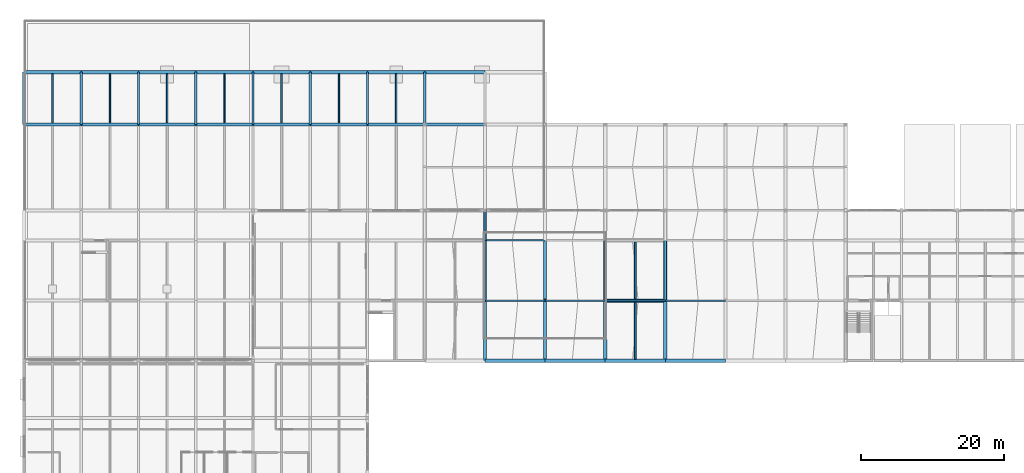
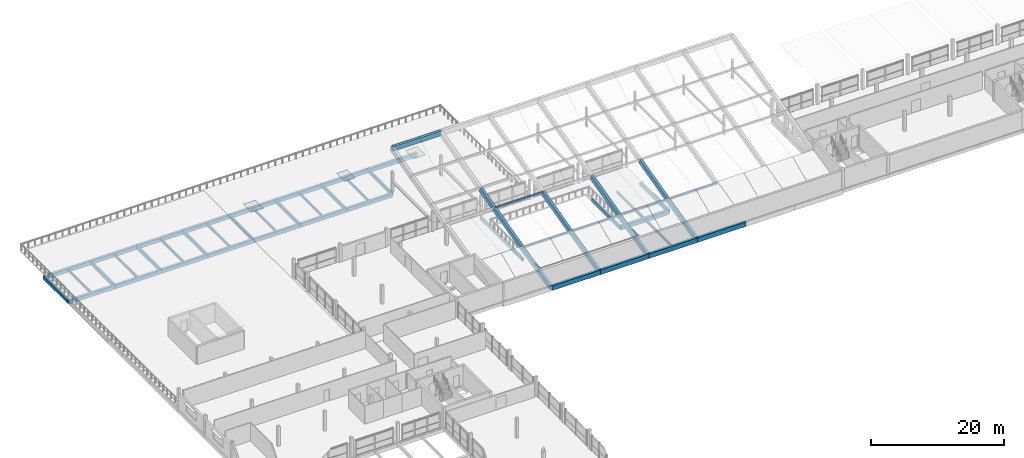
# One storey, part 25 of 51: 51 beams, 5 members.
"""IFC4 building model written with IfcOpenShell, lengths in metres."""

from ifc_helpers import new_model, si_unit, direction, frame, origin, origin_2d, place, context, subcontext, project, spatial, rectangle, hollow_rectangle, extrude, material, material_profile, profile_set, type_object, element, save


model = new_model("IFC4")

# Units and contexts
model_context = context("Model", 3, precision=1e-05, world=origin(), true_north=direction((0.0, 1.0)))
body_context = subcontext(model_context, "Body", "Model", "MODEL_VIEW")
ifc_project = project(units=[si_unit("LENGTHUNIT", "METRE"), si_unit("AREAUNIT", "SQUARE_METRE"), si_unit("VOLUMEUNIT", "CUBIC_METRE"), si_unit("PLANEANGLEUNIT", "RADIAN"), si_unit("MASSUNIT", "GRAM", prefix="KILO")], contexts=[model_context])

# Site, building, storey
site_placement = place(None, origin())
site = spatial("IfcSite", under=ifc_project, at=site_placement, CompositionType="ELEMENT")
building_placement = place(site_placement, origin())
building = spatial("IfcBuilding", under=site, at=building_placement, Name="Vharandega Faculty of Natural Sciences", CompositionType="ELEMENT")
storey_placement = place(building_placement, frame((0.0, 0.0, 18.0)))
storey = spatial("IfcBuildingStorey", under=building, at=storey_placement, Name="L04", CompositionType="ELEMENT", Elevation=18.0)

# Beams
ifc_material_1 = material(Name="Glulam GL28h", Category="wood")
ifc_material_profile_1 = material_profile(ifc_material_1, rectangle(XDim=0.300048828125, YDim=0.60009765625, at=origin_2d()), Name="GL28h 300x600")
ifc_profile_set_1 = profile_set([ifc_material_profile_1], Name="Glulam GL28h")
beam_type_1 = type_object("IfcBeamType", Name="Glulam Floor Beam 300x600", PredefinedType="BEAM", material=ifc_profile_set_1)
for number, where, z_axis, x_axis, name in (
    (1, (8.0, 97.0, -0.56005859375), (0.0, 1.0, 0.0), (-1.0, 0.0, 0.0), "Beam L04 2/N-P"),
    (2, (16.0, 97.0, -0.56005859375), (0.0, 1.0, 0.0), (-1.0, 0.0, 0.0), "Beam L04 3/N-P"),
    (3, (24.0, 97.0, -0.56005859375), (0.0, 1.0, 0.0), (-1.0, 0.0, 0.0), "Beam L04 4/N-P"),
    (4, (32.0, 97.0, -0.56005859375), (0.0, 1.0, 0.0), (-1.0, 0.0, 0.0), "Beam L04 5/N-P"),
    (5, (40.0, 97.0, -0.56005859375), (0.0, 1.0, 0.0), (-1.0, 0.0, 0.0), "Beam L04 6/N-P"),
    (6, (48.0, 97.0, -0.56005859375), (0.0, 1.0, 0.0), (-1.0, 0.0, 0.0), "Beam L04 7/N-P"),
    (7, (56.0, 97.0, -0.56005859375), (0.0, 1.0, 0.0), (-1.0, 0.0, 0.0), "Beam L04 8/N-P"),
):
    element("IfcBeam", number, at=place(storey_placement, frame(where, z_axis=z_axis, x_axis=x_axis)), inside=storey, type_object=beam_type_1, Name=name, PredefinedType="BEAM", context=body_context, shape_type="SweptSolid", body=[
        extrude(rectangle(XDim=0.300048828125, YDim=0.60009765625, at=origin_2d()), origin(), (0.0, 0.0, 1.0), 7.300048828125),
    ])
beam_1_placement = place(storey_placement, frame((64.39990234375, 72.39990234375, -0.52001953125), z_axis=(0.0, 1.0, 0.0), x_axis=(-1.0, 0.0, 0.0)))
element("IfcBeam", 8, at=beam_1_placement, inside=storey, type_object=beam_type_1, Name="Beam L04 9/K-L", PredefinedType="BEAM", context=body_context, shape_type="SweptSolid", body=[
    extrude(rectangle(XDim=0.300048828125, YDim=0.60009765625, at=origin_2d()), origin(), (0.0, 0.0, 1.0), 8.400146484375),
])
beam_2_placement = place(storey_placement, frame((64.39990234375, 80.800048828125, -0.52001953125), z_axis=(0.0, 1.0, 0.0), x_axis=(-1.0, 0.0, 0.0)))
element("IfcBeam", 9, at=beam_2_placement, inside=storey, type_object=beam_type_1, Name="Beam L04 9/L-M", PredefinedType="BEAM", context=body_context, shape_type="SweptSolid", body=[
    extrude(rectangle(XDim=0.300048828125, YDim=0.60009765625, at=origin_2d()), origin(), (0.0, 0.0, 1.0), 4.199951171875),
])
beam_3_placement = place(storey_placement, frame((81.199951171875, 72.39990234375, -0.52001953125), z_axis=(0.0, 1.0, 0.0), x_axis=(-1.0, 0.0, 0.0)))
element("IfcBeam", 10, at=beam_3_placement, inside=storey, type_object=beam_type_1, Name="Beam L04 11/K-L", PredefinedType="BEAM", context=body_context, shape_type="SweptSolid", body=[
    extrude(rectangle(XDim=0.300048828125, YDim=0.60009765625, at=origin_2d()), origin(), (0.0, 0.0, 1.0), 8.400146484375),
])
ifc_material_2 = material(Name="Glulam GL32h", Category="wood")
ifc_material_profile_2 = material_profile(ifc_material_2, rectangle(XDim=0.43994140625, YDim=0.679931640625, at=origin_2d()), Name="GL32h 440x680")
ifc_profile_set_2 = profile_set([ifc_material_profile_2], Name="Glulam GL32h")
beam_type_2 = type_object("IfcBeamType", Name="Glulam Girder 440x680", PredefinedType="BEAM", material=ifc_profile_set_2)
for number, where, z_axis, x_axis, name in (
    (11, (0.0, 97.0, -0.60009765625), (1.0, 0.0, 0.0), (0.0, 1.0, 0.0), "Beam L04 N/1-2"),
    (12, (8.0, 97.0, -0.60009765625), (1.0, 0.0, 0.0), (0.0, 1.0, 0.0), "Beam L04 N/2-3"),
    (13, (16.0, 97.0, -0.60009765625), (1.0, 0.0, 0.0), (0.0, 1.0, 0.0), "Beam L04 N/3-4"),
    (14, (24.0, 97.0, -0.60009765625), (1.0, 0.0, 0.0), (0.0, 1.0, 0.0), "Beam L04 N/4-5"),
    (15, (32.0, 97.0, -0.60009765625), (1.0, 0.0, 0.0), (0.0, 1.0, 0.0), "Beam L04 N/5-6"),
    (16, (40.0, 97.0, -0.60009765625), (1.0, 0.0, 0.0), (0.0, 1.0, 0.0), "Beam L04 N/6-7"),
    (17, (48.0, 97.0, -0.60009765625), (1.0, 0.0, 0.0), (0.0, 1.0, 0.0), "Beam L04 N/7-8"),
    (18, (0.0, 104.300048828125, -0.60009765625), (1.0, 0.0, 0.0), (0.0, 1.0, 0.0), "Beam L04 P/1-2"),
    (19, (8.0, 104.300048828125, -0.60009765625), (1.0, 0.0, 0.0), (0.0, 1.0, 0.0), "Beam L04 P/2-3"),
    (20, (16.0, 104.300048828125, -0.60009765625), (1.0, 0.0, 0.0), (0.0, 1.0, 0.0), "Beam L04 P/3-4"),
    (21, (24.0, 104.300048828125, -0.60009765625), (1.0, 0.0, 0.0), (0.0, 1.0, 0.0), "Beam L04 P/4-5"),
    (22, (32.0, 104.300048828125, -0.60009765625), (1.0, 0.0, 0.0), (0.0, 1.0, 0.0), "Beam L04 P/5-6"),
    (23, (40.0, 104.300048828125, -0.60009765625), (1.0, 0.0, 0.0), (0.0, 1.0, 0.0), "Beam L04 P/6-7"),
    (24, (48.0, 104.300048828125, -0.60009765625), (1.0, 0.0, 0.0), (0.0, 1.0, 0.0), "Beam L04 P/7-8"),
):
    element("IfcBeam", number, at=place(storey_placement, frame(where, z_axis=z_axis, x_axis=x_axis)), inside=storey, type_object=beam_type_2, Name=name, PredefinedType="BEAM", context=body_context, shape_type="SweptSolid", body=[
        extrude(rectangle(XDim=0.43994140625, YDim=0.679931640625, at=origin_2d()), origin(), (0.0, 0.0, 1.0), 8.0),
    ])
ifc_material_3 = material(Name="Glulam GL32h", Category="wood")
ifc_material_profile_3 = material_profile(ifc_material_3, rectangle(XDim=0.47998046875, YDim=0.719970703125, at=origin_2d()), Name="GL32h 480x720")
ifc_profile_set_3 = profile_set([ifc_material_profile_3], Name="Glulam GL32h")
beam_type_3 = type_object("IfcBeamType", Name="Glulam Primary Girder 480x720", PredefinedType="BEAM", material=ifc_profile_set_3)
beam_4_placement = place(storey_placement, frame((81.199951171875, 72.39990234375, -0.580078125), z_axis=(1.0, 0.0, 0.0), x_axis=(0.0, 1.0, 0.0)))
element("IfcBeam", 25, at=beam_4_placement, inside=storey, type_object=beam_type_3, Name="Beam L04 K/11-12", PredefinedType="BEAM", context=body_context, shape_type="SweptSolid", body=[
    extrude(rectangle(XDim=0.47998046875, YDim=0.719970703125, at=origin_2d()), origin(), (0.0, 0.0, 1.0), 8.400146484375),
])
beam_5_placement = place(storey_placement, frame((56.0, 104.300048828125, -0.6201171875), z_axis=(1.0, 0.0, 0.0), x_axis=(0.0, 1.0, 0.0)))
element("IfcBeam", 26, at=beam_5_placement, inside=storey, type_object=beam_type_3, Name="Beam L04 P/8-9", PredefinedType="BEAM", context=body_context, shape_type="SweptSolid", body=[
    extrude(rectangle(XDim=0.47998046875, YDim=0.719970703125, at=origin_2d()), origin(), (0.0, 0.0, 1.0), 8.39990234375),
])
ifc_material_4 = material(Name="Glulam GL28h", Category="wood")
ifc_material_profile_4 = material_profile(ifc_material_4, rectangle(XDim=0.219970703125, YDim=0.43994140625, at=origin_2d()), Name="GL28h 220x440")
ifc_profile_set_4 = profile_set([ifc_material_profile_4], Name="Glulam GL28h")
beam_type_4 = type_object("IfcBeamType", Name="Glulam Secondary Joist 220x440", PredefinedType="JOIST", material=ifc_profile_set_4)
for number, where, z_axis, x_axis, name in (
    (27, (4.0, 97.219970703125, -0.47998046875), (0.0, 1.0, 0.0), (-1.0, 0.0, 0.0), "Secondary Joist L04 1-2/N-P"),
    (28, (12.0, 97.219970703125, -0.47998046875), (0.0, 1.0, 0.0), (-1.0, 0.0, 0.0), "Secondary Joist L04 2-3/N-P"),
    (29, (20.0, 97.219970703125, -0.47998046875), (0.0, 1.0, 0.0), (-1.0, 0.0, 0.0), "Secondary Joist L04 3-4/N-P"),
    (30, (28.0, 97.219970703125, -0.47998046875), (0.0, 1.0, 0.0), (-1.0, 0.0, 0.0), "Secondary Joist L04 4-5/N-P"),
    (31, (36.0, 97.219970703125, -0.47998046875), (0.0, 1.0, 0.0), (-1.0, 0.0, 0.0), "Secondary Joist L04 5-6/N-P"),
    (32, (44.0, 97.219970703125, -0.47998046875), (0.0, 1.0, 0.0), (-1.0, 0.0, 0.0), "Secondary Joist L04 6-7/N-P"),
    (33, (52.0, 97.219970703125, -0.47998046875), (0.0, 1.0, 0.0), (-1.0, 0.0, 0.0), "Secondary Joist L04 7-8/N-P"),
):
    element("IfcBeam", number, at=place(storey_placement, frame(where, z_axis=z_axis, x_axis=x_axis)), inside=storey, type_object=beam_type_4, Name=name, PredefinedType="JOIST", context=body_context, shape_type="SweptSolid", body=[
        extrude(rectangle(XDim=0.219970703125, YDim=0.43994140625, at=origin_2d()), origin(), (0.0, 0.0, 1.0), 6.860107421875),
    ])
beam_6_placement = place(storey_placement, frame((85.39990234375, 64.22509765625, -0.43994140625), z_axis=(0.0, 1.0, 0.0), x_axis=(-1.0, 0.0, 0.0)))
element("IfcBeam", 34, at=beam_6_placement, inside=storey, type_object=beam_type_4, Name="Secondary Joist L04 11-12/J-K", PredefinedType="JOIST", context=body_context, shape_type="SweptSolid", body=[
    extrude(rectangle(XDim=0.219970703125, YDim=0.43994140625, at=origin_2d()), origin(), (0.0, 0.0, 1.0), 7.934814453125),
])
beam_7_placement = place(storey_placement, frame((85.39990234375, 72.639892578125, -0.43994140625), z_axis=(0.0, 1.0, 0.0), x_axis=(-1.0, 0.0, 0.0)))
element("IfcBeam", 35, at=beam_7_placement, inside=storey, type_object=beam_type_4, Name="Secondary Joist L04 11-12/K-L", PredefinedType="JOIST", context=body_context, shape_type="SweptSolid", body=[
    extrude(rectangle(XDim=0.219970703125, YDim=0.43994140625, at=origin_2d()), origin(), (0.0, 0.0, 1.0), 7.920166015625),
])
ifc_material_5 = material(Name="Glulam GL32h", Category="wood")
ifc_material_profile_5 = material_profile(ifc_material_5, rectangle(XDim=0.39990234375, YDim=0.60009765625, at=origin_2d()), Name="GL32h 400x600")
ifc_profile_set_5 = profile_set([ifc_material_profile_5], Name="Glulam GL32h")
beam_type_5 = type_object("IfcBeamType", Name="Glulam Spine Girder 400x600", PredefinedType="BEAM", material=ifc_profile_set_5)
beam_8_placement = place(storey_placement, frame((0.0, 97.0, -0.56005859375), z_axis=(0.0, 1.0, 0.0), x_axis=(-1.0, 0.0, 0.0)))
element("IfcBeam", 36, at=beam_8_placement, inside=storey, type_object=beam_type_5, Name="Beam L04 1/N-P", PredefinedType="BEAM", context=body_context, shape_type="SweptSolid", body=[
    extrude(rectangle(XDim=0.39990234375, YDim=0.60009765625, at=origin_2d()), origin(), (0.0, 0.0, 1.0), 7.300048828125),
])
beam_9_placement = place(storey_placement, frame((89.60009765625, 72.39990234375, -0.52001953125), z_axis=(0.0, 1.0, 0.0), x_axis=(-1.0, 0.0, 0.0)))
element("IfcBeam", 37, at=beam_9_placement, inside=storey, type_object=beam_type_5, Name="Beam L04 12/K-L", PredefinedType="BEAM", context=body_context, shape_type="SweptSolid", body=[
    extrude(rectangle(XDim=0.39990234375, YDim=0.60009765625, at=origin_2d()), origin(), (0.0, 0.0, 1.0), 8.400146484375),
])
ifc_material_6 = material(Name="Concrete C40/50", Category="concrete")
ifc_material_profile_6 = material_profile(ifc_material_6, rectangle(XDim=0.449951171875, YDim=0.85009765625, at=origin_2d()), Name="RC 450x850")
ifc_profile_set_6 = profile_set([ifc_material_profile_6], Name="Concrete C40/50")
beam_type_6 = type_object("IfcBeamType", Name="Shell Arch Rib Beam 450x850", PredefinedType="BEAM", material=ifc_profile_set_6)
beam_10_placement = place(storey_placement, frame((64.39990234375, 64.098388671875, -0.573486328125), z_axis=(0.0, 0.97280712477, 0.231616704918), x_axis=(-1.0, 0.0, 0.0)))
element("IfcBeam", 38, at=beam_10_placement, inside=storey, type_object=beam_type_6, Name="Conoidal Shell Arch Rib 9-1", PredefinedType="BEAM", context=body_context, shape_type="SweptSolid", body=[
    extrude(rectangle(XDim=0.449951171875, YDim=0.85009765625, at=origin_2d()), origin(), (0.0, 0.0, 1.0), 8.635009765625),
])
beam_11_placement = place(storey_placement, frame((64.39990234375, 72.50537109375, 1.42822265625), z_axis=(0.0, 0.968765746735, 0.247977676321), x_axis=(-1.0, 0.0, 0.0)))
element("IfcBeam", 39, at=beam_11_placement, inside=storey, type_object=beam_type_6, Name="Conoidal Shell Arch Rib 9-2", PredefinedType="BEAM", context=body_context, shape_type="SweptSolid", body=[
    extrude(rectangle(XDim=0.449951171875, YDim=0.85009765625, at=origin_2d()), origin(), (0.0, 0.0, 1.0), 8.670654296875),
])
beam_12_placement = place(storey_placement, frame((64.39990234375, 80.90771484375, 3.578857421875), z_axis=(0.0, 0.967365988301, 0.253383197308), x_axis=(-1.0, 0.0, 0.0)))
element("IfcBeam", 40, at=beam_12_placement, inside=storey, type_object=beam_type_6, Name="Conoidal Shell Arch Rib 9-3", PredefinedType="BEAM", context=body_context, shape_type="SweptSolid", body=[
    extrude(rectangle(XDim=0.449951171875, YDim=0.85009765625, at=origin_2d()), origin(), (0.0, 0.0, 1.0), 4.341552734375),
])
beam_13_placement = place(storey_placement, frame((72.800048828125, 64.098388671875, -0.573486328125), z_axis=(0.0, 0.97280712477, 0.231616704918), x_axis=(-1.0, 0.0, 0.0)))
element("IfcBeam", 41, at=beam_13_placement, inside=storey, type_object=beam_type_6, Name="Conoidal Shell Arch Rib 10-1", PredefinedType="BEAM", context=body_context, shape_type="SweptSolid", body=[
    extrude(rectangle(XDim=0.449951171875, YDim=0.85009765625, at=origin_2d()), origin(), (0.0, 0.0, 1.0), 8.635009765625),
])
beam_14_placement = place(storey_placement, frame((72.800048828125, 72.50537109375, 1.42822265625), z_axis=(0.0, 0.968765746735, 0.247977676321), x_axis=(-1.0, 0.0, 0.0)))
element("IfcBeam", 42, at=beam_14_placement, inside=storey, type_object=beam_type_6, Name="Conoidal Shell Arch Rib 10-2", PredefinedType="BEAM", context=body_context, shape_type="SweptSolid", body=[
    extrude(rectangle(XDim=0.449951171875, YDim=0.85009765625, at=origin_2d()), origin(), (0.0, 0.0, 1.0), 8.670654296875),
])
beam_15_placement = place(storey_placement, frame((81.199951171875, 64.098388671875, -0.573486328125), z_axis=(0.0, 0.97280712477, 0.231616704918), x_axis=(-1.0, 0.0, 0.0)))
element("IfcBeam", 43, at=beam_15_placement, inside=storey, type_object=beam_type_6, Name="Conoidal Shell Arch Rib 11-1", PredefinedType="BEAM", context=body_context, shape_type="SweptSolid", body=[
    extrude(rectangle(XDim=0.449951171875, YDim=0.85009765625, at=origin_2d()), origin(), (0.0, 0.0, 1.0), 8.635009765625),
])
beam_16_placement = place(storey_placement, frame((81.199951171875, 72.50537109375, 1.42822265625), z_axis=(0.0, 0.968765746735, 0.247977676321), x_axis=(-1.0, 0.0, 0.0)))
element("IfcBeam", 44, at=beam_16_placement, inside=storey, type_object=beam_type_6, Name="Conoidal Shell Arch Rib 11-2", PredefinedType="BEAM", context=body_context, shape_type="SweptSolid", body=[
    extrude(rectangle(XDim=0.449951171875, YDim=0.85009765625, at=origin_2d()), origin(), (0.0, 0.0, 1.0), 8.670654296875),
])
beam_17_placement = place(storey_placement, frame((89.60009765625, 64.098388671875, -0.573486328125), z_axis=(0.0, 0.97280712477, 0.231616704918), x_axis=(-1.0, 0.0, 0.0)))
element("IfcBeam", 45, at=beam_17_placement, inside=storey, type_object=beam_type_6, Name="Conoidal Shell Arch Rib 12-1", PredefinedType="BEAM", context=body_context, shape_type="SweptSolid", body=[
    extrude(rectangle(XDim=0.449951171875, YDim=0.85009765625, at=origin_2d()), origin(), (0.0, 0.0, 1.0), 8.635009765625),
])
beam_18_placement = place(storey_placement, frame((89.60009765625, 72.50537109375, 1.42822265625), z_axis=(0.0, 0.968765746735, 0.247977676321), x_axis=(-1.0, 0.0, 0.0)))
element("IfcBeam", 46, at=beam_18_placement, inside=storey, type_object=beam_type_6, Name="Conoidal Shell Arch Rib 12-2", PredefinedType="BEAM", context=body_context, shape_type="SweptSolid", body=[
    extrude(rectangle(XDim=0.449951171875, YDim=0.85009765625, at=origin_2d()), origin(), (0.0, 0.0, 1.0), 8.670654296875),
])
ifc_material_7 = material(Name="Concrete C40/50", Category="concrete")
ifc_material_profile_7 = material_profile(ifc_material_7, rectangle(XDim=0.449951171875, YDim=0.85009765625, at=origin_2d()), Name="RC 450x850")
ifc_profile_set_7 = profile_set([ifc_material_profile_7], Name="Concrete C40/50")
beam_type_7 = type_object("IfcBeamType", Name="Shell Edge Beam 450x850", PredefinedType="BEAM", material=ifc_profile_set_7)
beam_19_placement = place(storey_placement, frame((56.0, 97.0, 7.81494140625), z_axis=(1.0, 0.0, 0.0), x_axis=(0.0, 1.0, 0.0)))
element("IfcBeam", 47, at=beam_19_placement, inside=storey, type_object=beam_type_7, Name="Shell Edge Beam B1-5", PredefinedType="BEAM", context=body_context, shape_type="SweptSolid", body=[
    extrude(rectangle(XDim=0.449951171875, YDim=0.85009765625, at=origin_2d()), origin(), (0.0, 0.0, 1.0), 8.39990234375),
])
beam_20_placement = place(storey_placement, frame((64.39990234375, 64.0, -0.5849609375), z_axis=(1.0, 0.0, 0.0), x_axis=(0.0, 1.0, 0.0)))
element("IfcBeam", 48, at=beam_20_placement, inside=storey, type_object=beam_type_7, Name="Shell Edge Beam B2-0", PredefinedType="BEAM", context=body_context, shape_type="SweptSolid", body=[
    extrude(rectangle(XDim=0.449951171875, YDim=0.85009765625, at=origin_2d()), origin(), (0.0, 0.0, 1.0), 8.400146484375),
])
beam_21_placement = place(storey_placement, frame((72.800048828125, 64.0, -0.5849609375), z_axis=(1.0, 0.0, 0.0), x_axis=(0.0, 1.0, 0.0)))
element("IfcBeam", 49, at=beam_21_placement, inside=storey, type_object=beam_type_7, Name="Shell Edge Beam B3-0", PredefinedType="BEAM", context=body_context, shape_type="SweptSolid", body=[
    extrude(rectangle(XDim=0.449951171875, YDim=0.85009765625, at=origin_2d()), origin(), (0.0, 0.0, 1.0), 8.39990234375),
])
beam_22_placement = place(storey_placement, frame((81.199951171875, 64.0, -0.5849609375), z_axis=(1.0, 0.0, 0.0), x_axis=(0.0, 1.0, 0.0)))
element("IfcBeam", 50, at=beam_22_placement, inside=storey, type_object=beam_type_7, Name="Shell Edge Beam B4-0", PredefinedType="BEAM", context=body_context, shape_type="SweptSolid", body=[
    extrude(rectangle(XDim=0.449951171875, YDim=0.85009765625, at=origin_2d()), origin(), (0.0, 0.0, 1.0), 8.400146484375),
])
beam_23_placement = place(storey_placement, frame((89.60009765625, 64.0, -0.5849609375), z_axis=(1.0, 0.0, 0.0), x_axis=(0.0, 1.0, 0.0)))
element("IfcBeam", 51, at=beam_23_placement, inside=storey, type_object=beam_type_7, Name="Shell Edge Beam B5-0", PredefinedType="BEAM", context=body_context, shape_type="SweptSolid", body=[
    extrude(rectangle(XDim=0.449951171875, YDim=0.85009765625, at=origin_2d()), origin(), (0.0, 0.0, 1.0), 8.39990234375),
])

# Members
ifc_material_8 = material(Name="Steel S355", Category="steel")
ifc_material_profile_8 = material_profile(ifc_material_8, hollow_rectangle(XDim=0.199951171875, YDim=0.300048828125, WallThickness=0.012451171875, at=origin_2d()), Name="RHS 300x200x12.5")
ifc_profile_set_8 = profile_set([ifc_material_profile_8], Name="Steel S355")
member_type = type_object("IfcMemberType", Name="Shell Roof Purlin RHS 300x200", PredefinedType="PURLIN", material=ifc_profile_set_8)
for number, where, z_axis, x_axis, name in (
    (52, (64.39990234375, 72.39990234375, 1.68994140625), (1.0, 0.0, 0.0), (0.0, 1.0, 0.0), "Shell Roof Purlin B2-1"),
    (53, (64.39990234375, 80.800048828125, 3.840087890625), (1.0, 0.0, 0.0), (0.0, 1.0, 0.0), "Shell Roof Purlin B2-2"),
):
    element("IfcMember", number, at=place(storey_placement, frame(where, z_axis=z_axis, x_axis=x_axis)), inside=storey, type_object=member_type, Name=name, PredefinedType="PURLIN", context=body_context, shape_type="SweptSolid", body=[
        extrude(hollow_rectangle(XDim=0.199951171875, YDim=0.300048828125, WallThickness=0.012451171875, at=origin_2d()), origin(), (0.0, 0.0, 1.0), 8.400146484375),
    ])
member_1_placement = place(storey_placement, frame((72.800048828125, 72.39990234375, 1.68994140625), z_axis=(1.0, 0.0, 0.0), x_axis=(0.0, 1.0, 0.0)))
element("IfcMember", 54, at=member_1_placement, inside=storey, type_object=member_type, Name="Shell Roof Purlin B3-1", PredefinedType="PURLIN", context=body_context, shape_type="SweptSolid", body=[
    extrude(hollow_rectangle(XDim=0.199951171875, YDim=0.300048828125, WallThickness=0.012451171875, at=origin_2d()), origin(), (0.0, 0.0, 1.0), 8.39990234375),
])
member_2_placement = place(storey_placement, frame((81.199951171875, 72.39990234375, 1.68994140625), z_axis=(1.0, 0.0, 0.0), x_axis=(0.0, 1.0, 0.0)))
element("IfcMember", 55, at=member_2_placement, inside=storey, type_object=member_type, Name="Shell Roof Purlin B4-1", PredefinedType="PURLIN", context=body_context, shape_type="SweptSolid", body=[
    extrude(hollow_rectangle(XDim=0.199951171875, YDim=0.300048828125, WallThickness=0.012451171875, at=origin_2d()), origin(), (0.0, 0.0, 1.0), 8.400146484375),
])
member_3_placement = place(storey_placement, frame((89.60009765625, 72.39990234375, 1.68994140625), z_axis=(1.0, 0.0, 0.0), x_axis=(0.0, 1.0, 0.0)))
element("IfcMember", 56, at=member_3_placement, inside=storey, type_object=member_type, Name="Shell Roof Purlin B5-1", PredefinedType="PURLIN", context=body_context, shape_type="SweptSolid", body=[
    extrude(hollow_rectangle(XDim=0.199951171875, YDim=0.300048828125, WallThickness=0.012451171875, at=origin_2d()), origin(), (0.0, 0.0, 1.0), 8.39990234375),
])

save(model, "model.ifc")
